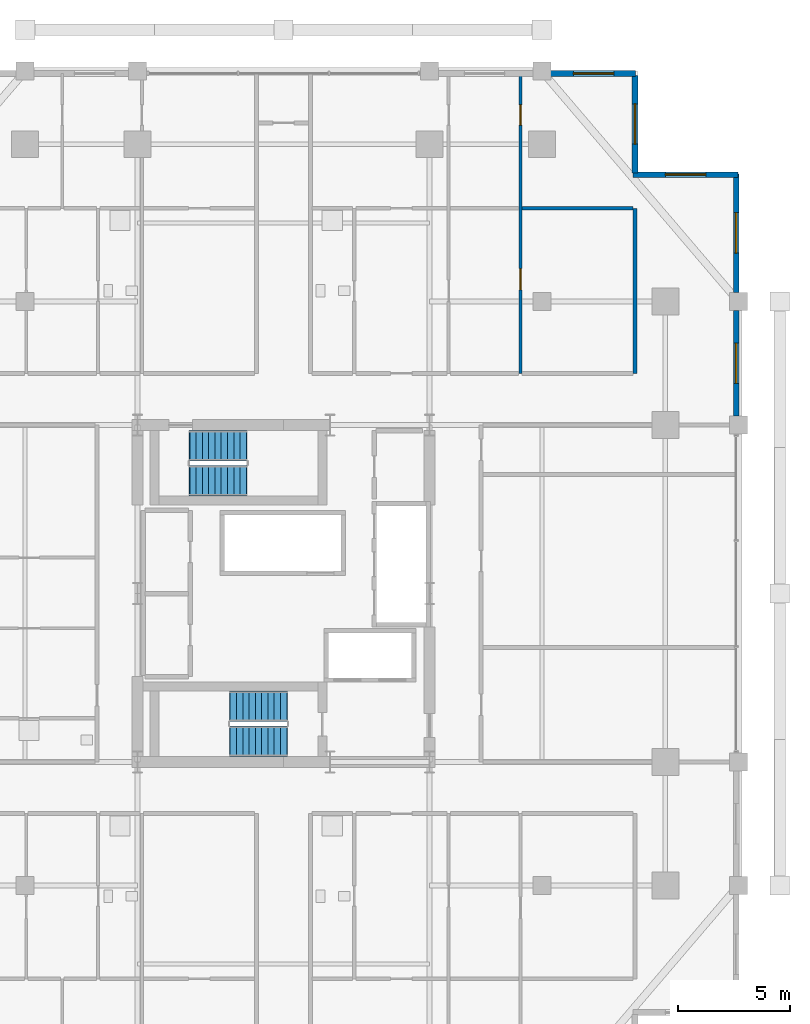
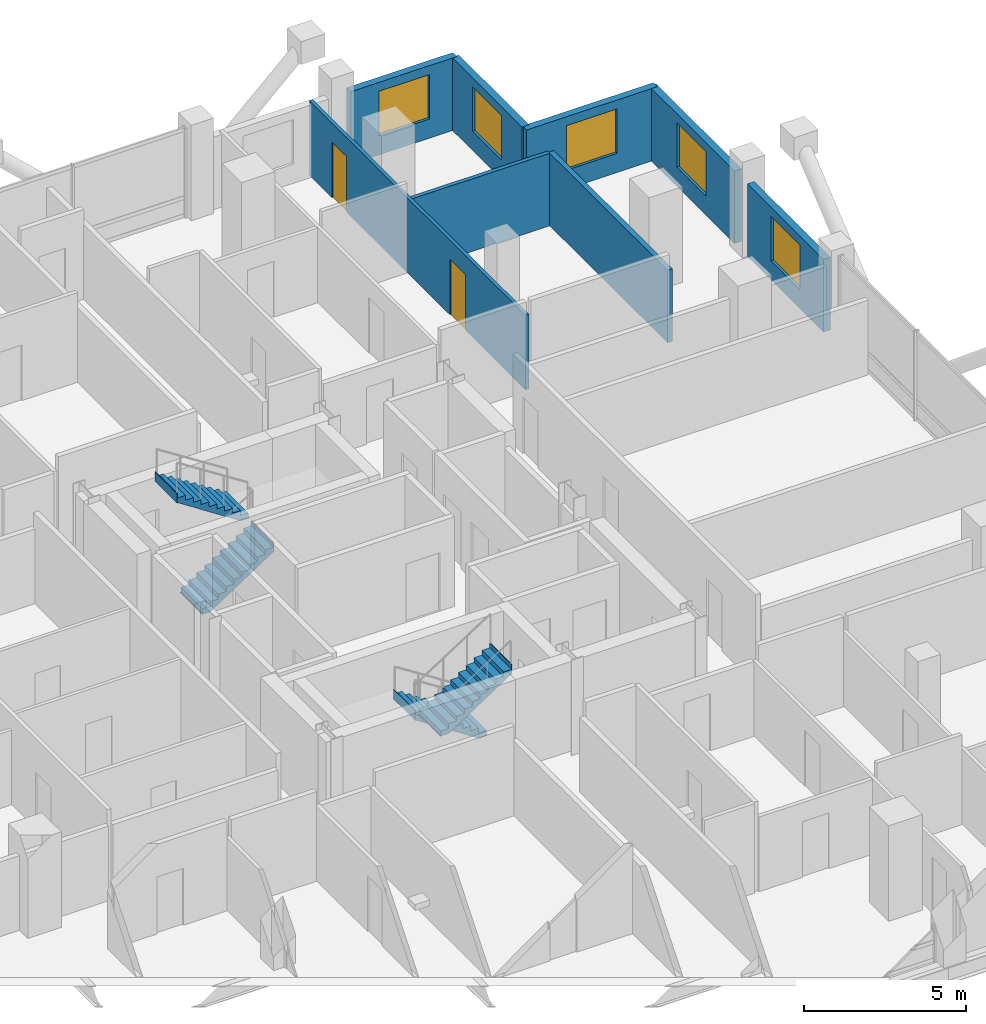
# One storey, part 21 of 23: 8 walls, 5 windows, 4 stair flights, 2 doors, 7 openings, 2 elements without a shape of their own.
"""IFC4 building model written with IfcOpenShell, lengths in metres."""

from ifc_helpers import new_model, si_unit, direction, frame, frame_2d, origin, place, context, subcontext, project, spatial, polyline, rectangle, outline, extrude, material, layer, layer_set, type_object, element, fill, aggregate, save


model = new_model("IFC4")

# Units and contexts
model_context = context("Model", 3, precision=1e-05, world=origin(), true_north=direction((0.0, 1.0)))
body_context = subcontext(model_context, "Body", "Model", "MODEL_VIEW")
ifc_project = project(units=[si_unit("LENGTHUNIT", "METRE"), si_unit("AREAUNIT", "SQUARE_METRE"), si_unit("VOLUMEUNIT", "CUBIC_METRE"), si_unit("PLANEANGLEUNIT", "RADIAN"), si_unit("MASSUNIT", "GRAM", prefix="KILO")], contexts=[model_context])

# Site, building, storey
site_placement = place(None, origin())
site = spatial("IfcSite", under=ifc_project, at=site_placement, CompositionType="ELEMENT")
building_placement = place(site_placement, origin())
building = spatial("IfcBuilding", under=site, at=building_placement, Name="Barlavira Tower and Art Museum", CompositionType="ELEMENT")
storey_placement = place(building_placement, frame((0.0, 0.0, 140.39990234375)))
storey = spatial("IfcBuildingStorey", under=building, at=storey_placement, Name="L35", CompositionType="ELEMENT", Elevation=140.39990234375)

# Wall, openings, doors
ifc_material_1 = material(Name="Gypsum acoustic stud partition", Category="gypsum")
ifc_layer_1 = layer(ifc_material_1, 0.1201171875, Name="Gypsum acoustic stud partition")
ifc_layer_set_1 = layer_set([ifc_layer_1], Name="Gypsum acoustic stud partition")
wall_type_1 = type_object("IfcWallType", Name="Apartment Internal Acoustic Partition 120", PredefinedType="PARTITIONING", material=ifc_layer_set_1)
wall_1_placement = place(storey_placement, frame((10.550048828125, 9.800048828125, 0.0), z_axis=(0.0, 0.0, 1.0), x_axis=(0.0, 1.0, 0.0)))
wall_1 = element("IfcWall", 1, at=wall_1_placement, inside=storey, type_object=wall_type_1, Name="L35 Partition Wall 26", PredefinedType="PARTITIONING", context=body_context, shape_type="SweptSolid", body=[
    extrude(rectangle(XDim=13.349853515625, YDim=0.1201171875, at=frame_2d((6.6748046875, 0.0))), origin(), (0.0, 0.0, 1.0), 2.816162109375),
])
opening_1_placement = place(wall_1_placement, frame((3.71337890625, 0.0, 0.0)))
opening_1 = element("IfcOpeningElement", 2, at=opening_1_placement, cuts=wall_1, Name="Opening D-02", PredefinedType="OPENING", context=body_context, shape_type="SweptSolid", body=[
    extrude(rectangle(XDim=0.949951171875, YDim=2.10009765625, at=frame_2d((0.47509765625, 1.050048828125))), frame((0.0, 0.070068359375, 0.0), z_axis=(0.0, -1.0, 0.0), x_axis=(1.0, 0.0, 0.0)), (0.0, 0.0, 1.0), 0.14013671875),
])
opening_2_placement = place(wall_1_placement, frame((11.051025390625, 0.0, 0.0)))
opening_2 = element("IfcOpeningElement", 3, at=opening_2_placement, cuts=wall_1, Name="Opening D-01", PredefinedType="OPENING", context=body_context, shape_type="SweptSolid", body=[
    extrude(rectangle(XDim=0.89990234375, YDim=2.10009765625, at=frame_2d((0.449951171875, 1.050048828125))), frame((0.0, 0.070068359375, 0.0), z_axis=(0.0, -1.0, 0.0), x_axis=(1.0, 0.0, 0.0)), (0.0, 0.0, 1.0), 0.14013671875),
])
ifc_material_2 = material(Name="Engineered coastal hardwood", Category="wood")
door_type_1 = type_object("IfcDoorType", Name="Internal Bedroom Timber Flush Door 900x2100", OperationType="NOTDEFINED", PredefinedType="DOOR", material=ifc_material_2)
door_1_placement = place(opening_2_placement, origin())
door_1 = element("IfcDoor", 4, at=door_1_placement, inside=storey, type_object=door_type_1, Name="Apartment NE1 Bedroom 2 Door", OperationType="SINGLE_SWING_RIGHT", OverallHeight=2.10009765625, OverallWidth=0.89990234375, PredefinedType="DOOR", context=body_context, shape_type="SweptSolid", body=[
    extrude(rectangle(XDim=0.89990234375, YDim=2.10009765625, at=frame_2d((0.449951171875, 1.050048828125))), frame((0.0, 0.02490234375, 0.0), z_axis=(0.0, -1.0, 0.0), x_axis=(1.0, 0.0, 0.0)), (0.0, 0.0, 1.0), 0.050048828125),
])
fill(opening_2, door_1)
door_type_2 = type_object("IfcDoorType", Name="Living and Salon Glazed-Leaf Door 950x2100", OperationType="NOTDEFINED", PredefinedType="DOOR", material=ifc_material_2)
door_2_placement = place(opening_1_placement, origin())
door_2 = element("IfcDoor", 5, at=door_2_placement, inside=storey, type_object=door_type_2, Name="Apartment NE1 Dining Salon Door", OperationType="SINGLE_SWING_LEFT", OverallHeight=2.10009765625, OverallWidth=0.949951171875, PredefinedType="DOOR", context=body_context, shape_type="SweptSolid", body=[
    extrude(rectangle(XDim=0.949951171875, YDim=2.10009765625, at=frame_2d((0.47509765625, 1.050048828125))), frame((0.0, 0.02490234375, 0.0), z_axis=(0.0, -1.0, 0.0), x_axis=(1.0, 0.0, 0.0)), (0.0, 0.0, 1.0), 0.050048828125),
])
fill(opening_1, door_2)

# Walls
ifc_layer_2 = layer(ifc_material_1, 0.179931640625, Name="Gypsum acoustic stud partition")
ifc_layer_set_2 = layer_set([ifc_layer_2], Name="Gypsum acoustic stud partition")
wall_type_2 = type_object("IfcWallType", Name="Inter-Tenancy Party Partition Wall 180", PredefinedType="PARTITIONING", material=ifc_layer_set_2)
wall_2_placement = place(storey_placement, frame((15.64990234375, 9.800048828125, 0.0), z_axis=(0.0, 0.0, 1.0), x_axis=(0.0, 1.0, 0.0)))
element("IfcWall", 6, at=wall_2_placement, inside=storey, type_object=wall_type_2, Name="L35 Partition Wall 28", PredefinedType="PARTITIONING", context=body_context, shape_type="SweptSolid", body=[
    extrude(rectangle(XDim=7.349853515625, YDim=0.179931640625, at=frame_2d((3.6748046875, 0.0))), origin(), (0.0, 0.0, 1.0), 2.736083984375),
])
ifc_layer_3 = layer(ifc_material_1, 0.139892578125, Name="Gypsum acoustic stud partition")
ifc_layer_set_3 = layer_set([ifc_layer_3], Name="Gypsum acoustic stud partition")
wall_type_3 = type_object("IfcWallType", Name="Moisture-Resistant Bathroom Partition 140", PredefinedType="PARTITIONING", material=ifc_layer_set_3)
wall_3_placement = place(storey_placement, frame((10.6298828125, 17.14990234375, 0.0), z_axis=(0.0, 0.0, 1.0), x_axis=(1.0, 0.0, 0.0)))
element("IfcWall", 7, at=wall_3_placement, inside=storey, type_object=wall_type_3, Name="L35 Partition Wall 80", PredefinedType="PARTITIONING", context=body_context, shape_type="SweptSolid", body=[
    extrude(rectangle(XDim=4.940185546875, YDim=0.139892578125, at=frame_2d((2.47021484375, 0.0))), origin(), (0.0, 0.0, 1.0), 2.736083984375),
])

# Wall, opening, window
ifc_material_3 = material(Name="Precast concrete C40", Category="concrete")
ifc_layer_4 = layer(ifc_material_3, 0.25, Name="Precast concrete C40")
ifc_layer_set_4 = layer_set([ifc_layer_4], Name="Precast concrete C40")
wall_type_4 = type_object("IfcWallType", Name="Notched Corner Spandrel Wall 250 Precast Concrete C40", PredefinedType="SOLIDWALL", material=ifc_layer_set_4)
wall_4_placement = place(storey_placement, frame((15.675048828125, 23.14990234375, 0.0), z_axis=(0.0, 0.0, 1.0), x_axis=(-1.0, 0.0, 0.0)))
wall_4 = element("IfcWall", 8, at=wall_4_placement, inside=storey, type_object=wall_type_4, Name="L35 Coastal Facade Pier Wall CW2-L35-N-1", PredefinedType="SOLIDWALL", context=body_context, shape_type="SweptSolid", body=[
    extrude(rectangle(XDim=3.780029296875, YDim=0.25, at=frame_2d((1.89013671875, 0.0))), origin(), (0.0, 0.0, 1.0), 2.736083984375),
])
opening_3_placement = place(wall_4_placement, frame((0.968017578125, 0.0, 0.719970703125)))
opening_3 = element("IfcOpeningElement", 9, at=opening_3_placement, cuts=wall_4, Name="Opening WN-01", PredefinedType="OPENING", context=body_context, shape_type="SweptSolid", body=[
    extrude(rectangle(XDim=1.800048828125, YDim=1.679931640625, at=frame_2d((0.89990234375, 0.83984375))), frame((0.0, 0.135009765625, 0.0), z_axis=(0.0, -1.0, 0.0), x_axis=(1.0, 0.0, 0.0)), (0.0, 0.0, 1.0), 0.27001953125),
])
ifc_material_4 = material(Name="Low-iron coastal laminated glass", Category="glass")
window_type = type_object("IfcWindowType", Name="Recessed Notch Corner Punch Window 1800x1680", PartitioningType="SINGLE_PANEL", PredefinedType="WINDOW", material=ifc_material_4)
window_1_placement = place(opening_3_placement, origin())
window_1 = element("IfcWindow", 10, at=window_1_placement, inside=storey, type_object=window_type, Name="L35 Punched Facade Window EWP-CW2-L35-N-1-1", OverallHeight=1.679931640625, OverallWidth=1.800048828125, PartitioningType="SINGLE_PANEL", PredefinedType="WINDOW", context=body_context, shape_type="SweptSolid", body=[
    extrude(rectangle(XDim=1.800048828125, YDim=1.679931640625, at=frame_2d((0.89990234375, 0.83984375))), frame((0.0, 0.030029296875, 0.0), z_axis=(0.0, -1.0, 0.0), x_axis=(1.0, 0.0, 0.0)), (0.0, 0.0, 1.0), 0.06005859375),
])
fill(opening_3, window_1)

wall_5_placement = place(storey_placement, frame((20.14990234375, 7.89501953125, 0.0), z_axis=(0.0, 0.0, 1.0), x_axis=(0.0, 1.0, 0.0)))
wall_5 = element("IfcWall", 11, at=wall_5_placement, inside=storey, type_object=wall_type_4, Name="L35 Coastal Facade Pier Wall CW2-L35-E-4", PredefinedType="SOLIDWALL", context=body_context, shape_type="SweptSolid", body=[
    extrude(rectangle(XDim=4.7099609375, YDim=0.25, at=frame_2d((2.35498046875, 0.0))), origin(), (0.0, 0.0, 1.0), 2.736083984375),
])
opening_4_placement = place(wall_5_placement, frame((1.455078125, 0.0, 0.719970703125)))
opening_4 = element("IfcOpeningElement", 12, at=opening_4_placement, cuts=wall_5, Name="Opening WN-01", PredefinedType="OPENING", context=body_context, shape_type="SweptSolid", body=[
    extrude(rectangle(XDim=1.800048828125, YDim=1.679931640625, at=frame_2d((0.89990234375, 0.83984375))), frame((0.0, 0.135009765625, 0.0), z_axis=(0.0, -1.0, 0.0), x_axis=(1.0, 0.0, 0.0)), (0.0, 0.0, 1.0), 0.27001953125),
])
window_2_placement = place(opening_4_placement, origin())
window_2 = element("IfcWindow", 13, at=window_2_placement, inside=storey, type_object=window_type, Name="L35 Punched Facade Window EWP-CW2-L35-E-4-1", OverallHeight=1.679931640625, OverallWidth=1.800048828125, PartitioningType="SINGLE_PANEL", PredefinedType="WINDOW", context=body_context, shape_type="SweptSolid", body=[
    extrude(rectangle(XDim=1.800048828125, YDim=1.679931640625, at=frame_2d((0.89990234375, 0.83984375))), frame((0.0, 0.030029296875, 0.0), z_axis=(0.0, -1.0, 0.0), x_axis=(1.0, 0.0, 0.0)), (0.0, 0.0, 1.0), 0.06005859375),
])
fill(opening_4, window_2)

wall_6_placement = place(storey_placement, frame((20.14990234375, 13.39501953125, 0.0), z_axis=(0.0, 0.0, 1.0), x_axis=(0.0, 1.0, 0.0)))
wall_6 = element("IfcWall", 14, at=wall_6_placement, inside=storey, type_object=wall_type_4, Name="L35 Coastal Facade Pier Wall CW2-L35-E-5", PredefinedType="SOLIDWALL", context=body_context, shape_type="SweptSolid", body=[
    extrude(rectangle(XDim=5.280029296875, YDim=0.25, at=frame_2d((2.64013671875, 0.0))), origin(), (0.0, 0.0, 1.0), 2.736083984375),
])
opening_5_placement = place(wall_6_placement, frame((1.762939453125, 0.0, 0.719970703125)))
opening_5 = element("IfcOpeningElement", 15, at=opening_5_placement, cuts=wall_6, Name="Opening WN-01", PredefinedType="OPENING", context=body_context, shape_type="SweptSolid", body=[
    extrude(rectangle(XDim=1.800048828125, YDim=1.679931640625, at=frame_2d((0.89990234375, 0.83984375))), frame((0.0, 0.135009765625, 0.0), z_axis=(0.0, -1.0, 0.0), x_axis=(1.0, 0.0, 0.0)), (0.0, 0.0, 1.0), 0.27001953125),
])
window_3_placement = place(opening_5_placement, origin())
window_3 = element("IfcWindow", 16, at=window_3_placement, inside=storey, type_object=window_type, Name="L35 Punched Facade Window EWP-CW2-L35-E-5-1", OverallHeight=1.679931640625, OverallWidth=1.800048828125, PartitioningType="SINGLE_PANEL", PredefinedType="WINDOW", context=body_context, shape_type="SweptSolid", body=[
    extrude(rectangle(XDim=1.800048828125, YDim=1.679931640625, at=frame_2d((0.89990234375, 0.83984375))), frame((0.0, 0.030029296875, 0.0), z_axis=(0.0, -1.0, 0.0), x_axis=(1.0, 0.0, 0.0)), (0.0, 0.0, 1.0), 0.06005859375),
])
fill(opening_5, window_3)

wall_7_placement = place(storey_placement, frame((20.22998046875, 18.64990234375, 0.0), z_axis=(0.0, 0.0, 1.0), x_axis=(-1.0, 0.0, 0.0)))
wall_7 = element("IfcWall", 17, at=wall_7_placement, inside=storey, type_object=wall_type_4, Name="L35 Notch Corner Wall NE1", PredefinedType="SOLIDWALL", context=body_context, shape_type="SweptSolid", body=[
    extrude(rectangle(XDim=4.659912109375, YDim=0.25, at=frame_2d((2.330078125, 0.0))), origin(), (0.0, 0.0, 1.0), 2.736083984375),
])
opening_6_placement = place(wall_7_placement, frame((1.429931640625, 0.0, 0.719970703125)))
opening_6 = element("IfcOpeningElement", 18, at=opening_6_placement, cuts=wall_7, Name="Opening WN-01", PredefinedType="OPENING", context=body_context, shape_type="SweptSolid", body=[
    extrude(rectangle(XDim=1.800048828125, YDim=1.679931640625, at=frame_2d((0.89990234375, 0.83984375))), frame((0.0, 0.135009765625, 0.0), z_axis=(0.0, -1.0, 0.0), x_axis=(1.0, 0.0, 0.0)), (0.0, 0.0, 1.0), 0.27001953125),
])
window_4_placement = place(opening_6_placement, origin())
window_4 = element("IfcWindow", 19, at=window_4_placement, inside=storey, type_object=window_type, Name="L35 Punched Facade Window EW-NTC-L35-NE1-1", OverallHeight=1.679931640625, OverallWidth=1.800048828125, PartitioningType="SINGLE_PANEL", PredefinedType="WINDOW", context=body_context, shape_type="SweptSolid", body=[
    extrude(rectangle(XDim=1.800048828125, YDim=1.679931640625, at=frame_2d((0.89990234375, 0.83984375))), frame((0.0, 0.030029296875, 0.0), z_axis=(0.0, -1.0, 0.0), x_axis=(1.0, 0.0, 0.0)), (0.0, 0.0, 1.0), 0.06005859375),
])
fill(opening_6, window_4)

wall_8_placement = place(storey_placement, frame((15.64990234375, 18.72998046875, 0.0), z_axis=(0.0, 0.0, 1.0), x_axis=(0.0, 1.0, 0.0)))
wall_8 = element("IfcWall", 20, at=wall_8_placement, inside=storey, type_object=wall_type_4, Name="L35 Notch Corner Wall NE2", PredefinedType="SOLIDWALL", context=body_context, shape_type="SweptSolid", body=[
    extrude(rectangle(XDim=4.340087890625, YDim=0.25, at=frame_2d((2.169921875, 0.0))), origin(), (0.0, 0.0, 1.0), 2.736083984375),
])
opening_7_placement = place(wall_8_placement, frame((1.27001953125, 0.0, 0.719970703125)))
opening_7 = element("IfcOpeningElement", 21, at=opening_7_placement, cuts=wall_8, Name="Opening WN-01", PredefinedType="OPENING", context=body_context, shape_type="SweptSolid", body=[
    extrude(rectangle(XDim=1.800048828125, YDim=1.679931640625, at=frame_2d((0.89990234375, 0.83984375))), frame((0.0, 0.135009765625, 0.0), z_axis=(0.0, -1.0, 0.0), x_axis=(1.0, 0.0, 0.0)), (0.0, 0.0, 1.0), 0.27001953125),
])
window_5_placement = place(opening_7_placement, origin())
window_5 = element("IfcWindow", 22, at=window_5_placement, inside=storey, type_object=window_type, Name="L35 Punched Facade Window EW-NTC-L35-NE2-1", OverallHeight=1.679931640625, OverallWidth=1.800048828125, PartitioningType="SINGLE_PANEL", PredefinedType="WINDOW", context=body_context, shape_type="SweptSolid", body=[
    extrude(rectangle(XDim=1.800048828125, YDim=1.679931640625, at=frame_2d((0.89990234375, 0.83984375))), frame((0.0, 0.030029296875, 0.0), z_axis=(0.0, -1.0, 0.0), x_axis=(1.0, 0.0, 0.0)), (0.0, 0.0, 1.0), 0.06005859375),
])
fill(opening_7, window_5)

# Stair, stair flights
ifc_material_5 = material(Name="Concrete C45", Category="concrete")
stair_type_1 = type_object("IfcStairType", Name="Tower North Dog-Leg Exit Stair Assembly Concrete C45", PredefinedType="TWO_QUARTER_TURN_STAIR", material=ifc_material_5)
stair_1_placement = place(storey_placement, origin())
stair_1 = element("IfcStair", 23, at=stair_1_placement, inside=storey, type_object=stair_type_1, Name="L35 Tower North Exit Stair ST-T2", PredefinedType="TWO_QUARTER_TURN_STAIR")
ifc_material_6 = material(Name="Precast concrete C45", Category="concrete")
stair_flight_type_1 = type_object("IfcStairFlightType", Name="Tower North Dog-Leg Exit Stair Precast Flight 1350 Concrete C45", PredefinedType="STRAIGHT", material=ifc_material_6)
stair_flight_1_placement = place(storey_placement, frame((-4.169921875, 5.02490234375, 0.0), z_axis=(0.0, 0.0, 1.0), x_axis=(1.0, 0.0, 0.0)))
stair_flight_1 = element("IfcStairFlight", 24, at=stair_flight_1_placement, type_object=stair_flight_type_1, Name="ST-T2 flight 1", NumberOfRisers=10, NumberOfTreads=9, PredefinedType="STRAIGHT", RiserHeight=0.18, TreadLength=0.28, context=body_context, shape_type="SweptSolid", body=[
    extrude(outline(polyline([(-0.02490234375, 0.0), (0.0, 0.0), (0.0, 0.179931640625), (0.280029296875, 0.179931640625), (0.280029296875, 0.360107421875), (0.56005859375, 0.360107421875), (0.56005859375, 0.5400390625), (0.840087890625, 0.5400390625), (0.840087890625, 0.719970703125), (1.1201171875, 0.719970703125), (1.1201171875, 0.89990234375), (1.39990234375, 0.89990234375), (1.39990234375, 1.080078125), (1.679931640625, 1.080078125), (1.679931640625, 1.260009765625), (1.9599609375, 1.260009765625), (1.9599609375, 1.43994140625), (2.239990234375, 1.43994140625), (2.239990234375, 1.6201171875), (2.52001953125, 1.6201171875), (2.52001953125, 1.800048828125), (2.544921875, 1.800048828125), (2.544921875, 1.44189453125), (2.52001953125, 1.44189453125), (0.277099609375, -0.02490234375), (-0.02490234375, -0.02490234375), (-0.02490234375, 0.0)])), frame((0.0, 0.675048828125, 0.0), z_axis=(0.0, -1.0, 0.0), x_axis=(1.0, 0.0, 0.0)), (0.0, 0.0, 1.0), 1.35009765625),
])
stair_flight_2_placement = place(storey_placement, frame((-1.64990234375, 6.574951171875, 1.800048828125), z_axis=(0.0, 0.0, 1.0), x_axis=(-1.0, 0.0, 0.0)))
stair_flight_2 = element("IfcStairFlight", 25, at=stair_flight_2_placement, type_object=stair_flight_type_1, Name="ST-T2 flight 2", NumberOfRisers=10, NumberOfTreads=9, PredefinedType="STRAIGHT", RiserHeight=0.18, TreadLength=0.28, context=body_context, shape_type="SweptSolid", body=[
    extrude(outline(polyline([(-0.02490234375, 0.0), (0.0, 0.0), (0.0, 0.179931640625), (0.280029296875, 0.179931640625), (0.280029296875, 0.360107421875), (0.56005859375, 0.360107421875), (0.56005859375, 0.5400390625), (0.840087890625, 0.5400390625), (0.840087890625, 0.719970703125), (1.1201171875, 0.719970703125), (1.1201171875, 0.89990234375), (1.39990234375, 0.89990234375), (1.39990234375, 1.080078125), (1.679931640625, 1.080078125), (1.679931640625, 1.260009765625), (1.9599609375, 1.260009765625), (1.9599609375, 1.43994140625), (2.239990234375, 1.43994140625), (2.239990234375, 1.6201171875), (2.52001953125, 1.6201171875), (2.52001953125, 1.800048828125), (2.544921875, 1.800048828125), (2.544921875, 1.44189453125), (2.52001953125, 1.44189453125), (0.277099609375, -0.02490234375), (-0.02490234375, -0.02490234375), (-0.02490234375, 0.0)])), frame((0.0, 0.675048828125, 0.0), z_axis=(0.0, -1.0, 0.0), x_axis=(1.0, 0.0, 0.0)), (0.0, 0.0, 1.0), 1.35009765625),
])
aggregate(stair_1, [stair_flight_1, stair_flight_2])

stair_type_2 = type_object("IfcStairType", Name="Tower South Dog-Leg Exit Stair Assembly Concrete C45", PredefinedType="TWO_QUARTER_TURN_STAIR", material=ifc_material_5)
stair_2_placement = place(storey_placement, origin())
stair_2 = element("IfcStair", 26, at=stair_2_placement, inside=storey, type_object=stair_type_2, Name="L35 Tower South Exit Stair ST-T1", PredefinedType="TWO_QUARTER_TURN_STAIR")
stair_flight_type_2 = type_object("IfcStairFlightType", Name="Tower South Dog-Leg Exit Stair Precast Flight 1350 Concrete C45", PredefinedType="STRAIGHT", material=ifc_material_6)
stair_flight_3_placement = place(storey_placement, frame((0.14990234375, -5.02490234375, 0.0), z_axis=(0.0, 0.0, 1.0), x_axis=(-1.0, 0.0, 0.0)))
stair_flight_3 = element("IfcStairFlight", 27, at=stair_flight_3_placement, type_object=stair_flight_type_2, Name="ST-T1 flight 1", NumberOfRisers=10, NumberOfTreads=9, PredefinedType="STRAIGHT", RiserHeight=0.18, TreadLength=0.28, context=body_context, shape_type="SweptSolid", body=[
    extrude(outline(polyline([(-0.02490234375, 0.0), (0.0, 0.0), (0.0, 0.179931640625), (0.280029296875, 0.179931640625), (0.280029296875, 0.360107421875), (0.56005859375, 0.360107421875), (0.56005859375, 0.5400390625), (0.840087890625, 0.5400390625), (0.840087890625, 0.719970703125), (1.1201171875, 0.719970703125), (1.1201171875, 0.89990234375), (1.39990234375, 0.89990234375), (1.39990234375, 1.080078125), (1.679931640625, 1.080078125), (1.679931640625, 1.260009765625), (1.9599609375, 1.260009765625), (1.9599609375, 1.43994140625), (2.239990234375, 1.43994140625), (2.239990234375, 1.6201171875), (2.52001953125, 1.6201171875), (2.52001953125, 1.800048828125), (2.544921875, 1.800048828125), (2.544921875, 1.44189453125), (2.52001953125, 1.44189453125), (0.277099609375, -0.02490234375), (-0.02490234375, -0.02490234375), (-0.02490234375, 0.0)])), frame((0.0, 0.675048828125, 0.0), z_axis=(0.0, -1.0, 0.0), x_axis=(1.0, 0.0, 0.0)), (0.0, 0.0, 1.0), 1.35009765625),
])
stair_flight_4_placement = place(storey_placement, frame((-2.3701171875, -6.574951171875, 1.800048828125), z_axis=(0.0, 0.0, 1.0), x_axis=(1.0, 0.0, 0.0)))
stair_flight_4 = element("IfcStairFlight", 28, at=stair_flight_4_placement, type_object=stair_flight_type_2, Name="ST-T1 flight 2", NumberOfRisers=10, NumberOfTreads=9, PredefinedType="STRAIGHT", RiserHeight=0.18, TreadLength=0.28, context=body_context, shape_type="SweptSolid", body=[
    extrude(outline(polyline([(-0.02490234375, 0.0), (0.0, 0.0), (0.0, 0.179931640625), (0.280029296875, 0.179931640625), (0.280029296875, 0.360107421875), (0.56005859375, 0.360107421875), (0.56005859375, 0.5400390625), (0.840087890625, 0.5400390625), (0.840087890625, 0.719970703125), (1.1201171875, 0.719970703125), (1.1201171875, 0.89990234375), (1.39990234375, 0.89990234375), (1.39990234375, 1.080078125), (1.679931640625, 1.080078125), (1.679931640625, 1.260009765625), (1.9599609375, 1.260009765625), (1.9599609375, 1.43994140625), (2.239990234375, 1.43994140625), (2.239990234375, 1.6201171875), (2.52001953125, 1.6201171875), (2.52001953125, 1.800048828125), (2.544921875, 1.800048828125), (2.544921875, 1.44189453125), (2.52001953125, 1.44189453125), (0.277099609375, -0.02490234375), (-0.02490234375, -0.02490234375), (-0.02490234375, 0.0)])), frame((0.0, 0.675048828125, 0.0), z_axis=(0.0, -1.0, 0.0), x_axis=(1.0, 0.0, 0.0)), (0.0, 0.0, 1.0), 1.35009765625),
])
aggregate(stair_2, [stair_flight_3, stair_flight_4])

save(model, "model.ifc")
